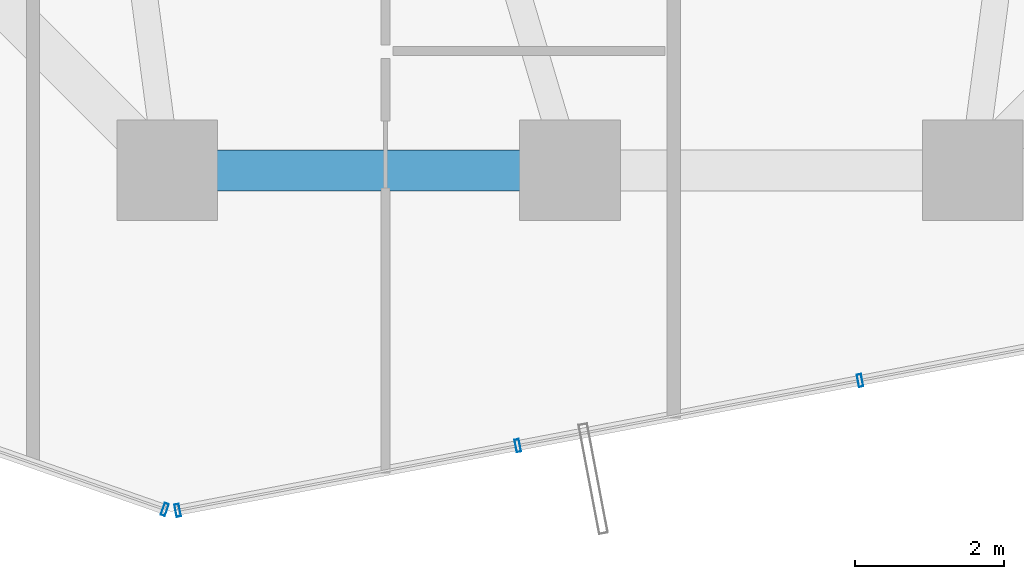
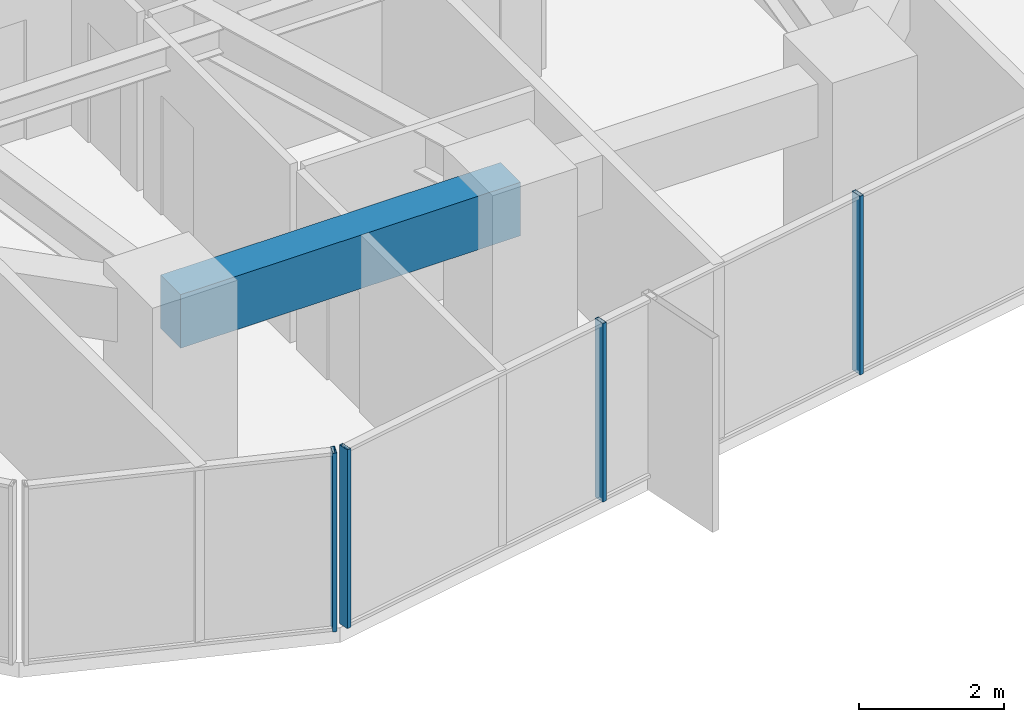
# One storey, part 6 of 38: 4 members, 1 beam, 2 elements without a shape of their own.
"""IFC4 building model written with IfcOpenShell, lengths in metres."""

import ifcopenshell
import ifcopenshell.guid

model = None  # the IFC model being written
_history = None  # IfcOwnerHistory: only IFC2X3 demands one
_inside = {}  # id of a spatial element -> (the spatial element, [elements in it])
_under = {}  # id of a project, library or spatial element -> (it, [spatial elements below it])
_declared = {}  # id of a project -> (the project, [libraries it declares])
_typed = {}  # id of a type object -> (the type object, [elements of that type])
_made_of = {}  # id of a material, layer set ... -> (it, [elements and type objects made of it])


def new_model(schema):
    """Start an empty IFC model of exactly this schema.

    Asked for "IFC4X3", IfcOpenShell would pick the latest addendum, in which some entities
    have other attributes; the version numbers below select the first issue.
    IFC2X3 requires an IfcOwnerHistory on every rooted entity: one is made here for all.
    """
    global model, _history
    if schema == "IFC4X3":
        model = ifcopenshell.file(schema_version=(4, 3, 0, 0))
    else:
        model = ifcopenshell.file(schema=schema)
    _inside.clear()
    _under.clear()
    _declared.clear()
    _typed.clear()
    _made_of.clear()
    _history = None
    if model.schema == "IFC2X3":
        org = make("IfcOrganization", Name="unknown")
        user = make(
            "IfcPersonAndOrganization",
            ThePerson=make("IfcPerson", FamilyName="unknown"),
            TheOrganization=org,
        )
        app = make(
            "IfcApplication",
            ApplicationDeveloper=org,
            Version="unknown",
            ApplicationFullName="unknown",
            ApplicationIdentifier="unknown",
        )
        _history = make(
            "IfcOwnerHistory",
            OwningUser=user,
            OwningApplication=app,
            ChangeAction="ADDED",
            CreationDate=0,
        )
    return model


def make(cls, **values):
    """One entity of the class cls with the attributes given. An attribute that is None is left unset."""
    return model.create_entity(
        cls, **{name: value for name, value in values.items() if value is not None}
    )


def rooted(cls, **values):
    """An entity with a GlobalId (a new one), such as an element, a storey or a relation."""
    return make(cls, GlobalId=ifcopenshell.guid.new(), OwnerHistory=_history, **values)


def si_unit(unit_type, name, prefix=None):
    """IfcSIUnit, for example si_unit("LENGTHUNIT", "METRE", prefix="MILLI")."""
    return make("IfcSIUnit", UnitType=unit_type, Prefix=prefix, Name=name)


def assignment(units):
    """IfcUnitAssignment: the units of a project."""
    return None if units is None else make("IfcUnitAssignment", Units=units)


def point(xyz):
    """IfcCartesianPoint."""
    return None if xyz is None else make("IfcCartesianPoint", Coordinates=xyz)


def direction(xyz):
    """IfcDirection."""
    return None if xyz is None else make("IfcDirection", DirectionRatios=xyz)


def frame(location, z_axis=None, x_axis=None):
    """IfcAxis2Placement3D, a coordinate frame: its origin and axes. An axis left out is left unset."""
    return make(
        "IfcAxis2Placement3D",
        Location=point(location),
        Axis=direction(z_axis),
        RefDirection=direction(x_axis),
    )


def frame_2d(location, x_axis=None):
    """IfcAxis2Placement2D, a coordinate frame in the plane: its origin and x axis."""
    return make(
        "IfcAxis2Placement2D", Location=point(location), RefDirection=direction(x_axis)
    )


def origin():
    """The frame at (0, 0, 0) with its axes left unset."""
    return frame((0.0, 0.0, 0.0))


def origin_2d():
    """The frame at (0, 0) in the plane with its x axis left unset."""
    return frame_2d((0.0, 0.0))


def place(relative_to, where):
    """IfcLocalPlacement: puts the frame where relative to a parent placement (None: the world)."""
    return make(
        "IfcLocalPlacement", PlacementRelTo=relative_to, RelativePlacement=where
    )


def context(
    kind, dimensions, precision=None, world=None, true_north=None, identifier=None
):
    """IfcGeometricRepresentationContext, for example the 3D "Model" context."""
    return make(
        "IfcGeometricRepresentationContext",
        ContextIdentifier=identifier,
        ContextType=kind,
        CoordinateSpaceDimension=dimensions,
        Precision=precision,
        WorldCoordinateSystem=world,
        TrueNorth=true_north,
    )


def subcontext(parent, identifier, kind, view, scale=None):
    """IfcGeometricRepresentationSubContext, for example "Body" below "Model"."""
    return make(
        "IfcGeometricRepresentationSubContext",
        ContextIdentifier=identifier,
        ContextType=kind,
        ParentContext=parent,
        TargetScale=scale,
        TargetView=view,
    )


def project(units=None, contexts=None):
    """IfcProject with its units and contexts."""
    return rooted(
        "IfcProject",
        Name="project",
        RepresentationContexts=contexts,
        UnitsInContext=assignment(units),
    )


def spatial(cls, under=None, at=None, **own):
    """A site, building, storey or space (cls), placed at a placement, below another one or the project."""
    s = rooted(cls, ObjectPlacement=at, **own)
    if under is not None:
        _under.setdefault(under.id(), (under, []))[1].append(s)
    return s


def profile(cls, at=None, kind="AREA", **sizes):
    """A parametric profile (cls). Its sizes go by their IFC names, for example OverallWidth=200.0."""
    return make(cls, ProfileType=kind, Position=at, **sizes)


def rectangle(**sizes):
    """IfcRectangleProfileDef."""
    return profile("IfcRectangleProfileDef", **sizes)


def hollow_rectangle(**sizes):
    """IfcRectangleHollowProfileDef."""
    return profile("IfcRectangleHollowProfileDef", **sizes)


def extrude(swept, where, along, depth):
    """IfcExtrudedAreaSolid: the profile swept, set in the frame where, extruded along a direction by depth."""
    return make(
        "IfcExtrudedAreaSolid",
        SweptArea=swept,
        Position=where,
        ExtrudedDirection=direction(along),
        Depth=depth,
    )


def shape(context_of_items, identifier, shape_type, items):
    """IfcShapeRepresentation: the items that make up one representation, for example the "Body"."""
    return make(
        "IfcShapeRepresentation",
        ContextOfItems=context_of_items,
        RepresentationIdentifier=identifier,
        RepresentationType=shape_type,
        Items=items,
    )


def source(mapping_origin, context_of_items, identifier, shape_type, items):
    """IfcRepresentationMap: a shape defined once, which mapped items show again and again."""
    return make(
        "IfcRepresentationMap",
        MappingOrigin=mapping_origin,
        MappedRepresentation=shape(context_of_items, identifier, shape_type, items),
    )


def transform(
    local_origin,
    x_axis=None,
    y_axis=None,
    z_axis=None,
    scale=None,
    scale2=None,
    scale3=None,
    uniform=True,
):
    """IfcCartesianTransformationOperator3D, or its non-uniform kind. x_axis, y_axis, z_axis: its Axis1, 2, 3."""
    if uniform:
        return make(
            "IfcCartesianTransformationOperator3D",
            Axis1=direction(x_axis),
            Axis2=direction(y_axis),
            LocalOrigin=point(local_origin),
            Scale=scale,
            Axis3=direction(z_axis),
        )
    return make(
        "IfcCartesianTransformationOperator3DnonUniform",
        Axis1=direction(x_axis),
        Axis2=direction(y_axis),
        LocalOrigin=point(local_origin),
        Scale=scale,
        Axis3=direction(z_axis),
        Scale2=scale2,
        Scale3=scale3,
    )


def mapped(mapping_source, mapping_target):
    """IfcMappedItem: shows the shape of a source again, moved by a transform."""
    return make(
        "IfcMappedItem", MappingSource=mapping_source, MappingTarget=mapping_target
    )


def material(Name=None, Category=None):
    """IfcMaterial."""
    return make("IfcMaterial", Name=Name, Category=Category)


def layer(
    of_material, thickness, ventilated=None, Name=None, Category=None, Priority=None
):
    """IfcMaterialLayer: one layer of a wall or slab, of a material (None: an air gap)."""
    return make(
        "IfcMaterialLayer",
        Material=of_material,
        LayerThickness=thickness,
        IsVentilated=ventilated,
        Name=Name,
        Category=Category,
        Priority=Priority,
    )


def layer_set(layers, Name=None):
    """IfcMaterialLayerSet."""
    return make("IfcMaterialLayerSet", MaterialLayers=layers, LayerSetName=Name)


def material_profile(
    of_material, cross_section, Name=None, Category=None, Priority=None
):
    """IfcMaterialProfile: a cross section and its material."""
    return make(
        "IfcMaterialProfile",
        Name=Name,
        Material=of_material,
        Profile=cross_section,
        Priority=Priority,
        Category=Category,
    )


def profile_set(profiles, Name=None, composite=None):
    """IfcMaterialProfileSet."""
    return make(
        "IfcMaterialProfileSet",
        Name=Name,
        MaterialProfiles=profiles,
        CompositeProfile=composite,
    )


def made_of(thing, what):
    """Note that an element or type object is made of a material, layer set ...; save() writes the relation."""
    if what is not None:
        _made_of.setdefault(what.id(), (what, []))[1].append(thing)
    return thing


def type_object(cls, material=None, **own):
    """A type object (cls), such as IfcWallType, which elements share."""
    return made_of(rooted(cls, **own), material)


def element(
    cls,
    number,
    at=None,
    inside=None,
    cuts=None,
    type_object=None,
    material=None,
    context=None,
    identifier="Body",
    shape_type=None,
    held_by="IfcProductDefinitionShape",
    body=None,
    shapes=None,
    **own,
):
    """One element of the class cls, such as IfcWall. Its Tag is "e" and its number.

    at: its placement. inside: the storey or other place that contains it. cuts: it is an
    opening in that element (IfcRelVoidsElement). A single representation is given by context,
    identifier, shape_type and body (its items); several are given by shapes. held_by: the class
    of the entity that holds the representations. save() writes the other relations.
    """
    e = rooted(cls, Tag="e%d" % number, ObjectPlacement=at, **own)
    if body is not None:
        shapes = [shape(context, identifier, shape_type, body)]
    if shapes is not None:
        e.Representation = make(held_by, Representations=shapes)
    if inside is not None:
        _inside.setdefault(inside.id(), (inside, []))[1].append(e)
    if cuts is not None:
        rooted(
            "IfcRelVoidsElement", RelatingBuildingElement=cuts, RelatedOpeningElement=e
        )
    if type_object is not None:
        _typed.setdefault(type_object.id(), (type_object, []))[1].append(e)
    return made_of(e, material)


def aggregate(whole, parts):
    """IfcRelAggregates: a whole, such as a stair, and the parts it consists of."""
    return rooted("IfcRelAggregates", RelatingObject=whole, RelatedObjects=parts)


def save(model, path):
    """Write the relations noted so far, then the file.

    IfcRelAggregates (storeys below a building ...), IfcRelContainedInSpatialStructure (elements
    in a storey), IfcRelDefinesByType, IfcRelAssociatesMaterial and IfcRelDeclares: one each for
    every whole, place, type object, material and project.
    """
    for whole, parts in _under.values():
        aggregate(whole, parts)
    for where, things in _inside.values():
        rooted(
            "IfcRelContainedInSpatialStructure",
            RelatedElements=things,
            RelatingStructure=where,
        )
    for kind, things in _typed.values():
        rooted("IfcRelDefinesByType", RelatedObjects=things, RelatingType=kind)
    for what, things in _made_of.values():
        rooted("IfcRelAssociatesMaterial", RelatedObjects=things, RelatingMaterial=what)
    for by, libraries in _declared.values():
        rooted("IfcRelDeclares", RelatingContext=by, RelatedDefinitions=libraries)
    model.write(path)


model = new_model("IFC4")

# Units and contexts
model_context = context("Model", 3, precision=1e-05, world=origin(), true_north=direction((0.0, 1.0)))
body_context = subcontext(model_context, "Body", "Model", "MODEL_VIEW")
ifc_project = project(units=[si_unit("LENGTHUNIT", "METRE"), si_unit("AREAUNIT", "SQUARE_METRE"), si_unit("VOLUMEUNIT", "CUBIC_METRE"), si_unit("PLANEANGLEUNIT", "RADIAN"), si_unit("MASSUNIT", "GRAM", prefix="KILO")], contexts=[model_context])

# Site, building, storey
site_placement = place(None, origin())
site = spatial("IfcSite", under=ifc_project, at=site_placement, CompositionType="ELEMENT")
building_placement = place(site_placement, origin())
building = spatial("IfcBuilding", under=site, at=building_placement, Name="Veraguas Prism Commons", CompositionType="ELEMENT")
storey_placement = place(building_placement, frame((0.0, 0.0, 60.85009765625)))
storey = spatial("IfcBuildingStorey", under=building, at=storey_placement, Name="L16", CompositionType="ELEMENT", Elevation=60.85009765625)

# Beam
ifc_material_1 = material(Name="Concrete C50/60", Category="concrete")
ifc_material_profile_1 = material_profile(ifc_material_1, rectangle(XDim=0.550048828125, YDim=0.89990234375, at=origin_2d()), Name="RC550X900")
ifc_profile_set_1 = profile_set([ifc_material_profile_1], Name="Concrete C50/60")
beam_type = type_object("IfcBeamType", Name="Perimeter Spandrel Lower RC 550x900", PredefinedType="SPANDREL", material=ifc_profile_set_1)
beam_placement = place(storey_placement, frame((18.60009765625, 6.39990234375, 2.5498046875), z_axis=(1.0, 0.0, 0.0), x_axis=(0.0, 1.0, 0.0)))
element("IfcBeam", 1, at=beam_placement, inside=storey, type_object=beam_type, Name="Perimeter Spandrel Beam L16-SP10", PredefinedType="SPANDREL", context=body_context, shape_type="SweptSolid", body=[
    extrude(rectangle(XDim=0.550048828125, YDim=0.89990234375, at=origin_2d()), origin(), (0.0, 0.0, 1.0), 5.39990234375),
])

# Curtain wall, members
ifc_material_2 = material(Name="Anodised aluminium EN AW-6063 T6", Category="aluminium")
ifc_layer = layer(ifc_material_2, 0.169921875, Name="Unitised Flush Curtain Wall Zone 1", Category="aluminium")
ifc_layer_set = layer_set([ifc_layer], Name="Anodised aluminium EN AW-6063 T6")
curtain_wall_type = type_object("IfcCurtainWallType", Name="Unitised Flush Curtain Wall Zone 1", PredefinedType="NOTDEFINED", material=ifc_layer_set)
curtain_wall_1_placement = place(storey_placement, origin())
curtain_wall_1 = element("IfcCurtainWall", 2, at=curtain_wall_1_placement, inside=storey, type_object=curtain_wall_type, Name="Tower Facade Curtain Wall L16-F5", PredefinedType="NOTDEFINED")
ifc_material_profile_2 = material_profile(ifc_material_2, hollow_rectangle(XDim=0.06005859375, YDim=0.169921875, WallThickness=0.00390625, at=origin_2d()), Name="AL60X170X4")
ifc_profile_set_2 = profile_set([ifc_material_profile_2], Name="Anodised aluminium EN AW-6063 T6")
member_type = type_object("IfcMemberType", Name="Curtain Wall Mullion Lower AL 60x170x4", PredefinedType="MULLION", material=ifc_profile_set_2)
shared_shape = source(origin(), body_context, "Body", "SweptSolid", [
    extrude(hollow_rectangle(XDim=0.06005859375, YDim=0.169921875, WallThickness=0.00390625, at=origin_2d()), origin(), (0.0, 0.0, 1.0), 3.0),
])
member_1_placement = place(storey_placement, frame((18.739990234375, 1.840576171875, 0.0), z_axis=(0.0, 0.0, 1.0), x_axis=(0.982352599301, 0.187038420242, 0.0)))
member_1 = element("IfcMember", 3, at=member_1_placement, type_object=member_type, Name="CW-Z1 Mullion 1", PredefinedType="MULLION", context=body_context, shape_type="MappedRepresentation", body=[
    mapped(shared_shape, transform((0.0, 0.0, 0.0), scale=1.0)),
])
member_2_placement = place(storey_placement, frame((23.298828125, 2.70849609375, 0.0), z_axis=(0.0, 0.0, 1.0), x_axis=(0.982352599301, 0.187038420242, 0.0)))
member_2 = element("IfcMember", 4, at=member_2_placement, type_object=member_type, Name="CW-Z1 Mullion 2", PredefinedType="MULLION", context=body_context, shape_type="MappedRepresentation", body=[
    mapped(shared_shape, transform((0.0, 0.0, 0.0), scale=1.0)),
])
member_3_placement = place(storey_placement, frame((27.887451171875, 3.582275390625, 0.0), z_axis=(0.0, 0.0, 1.0), x_axis=(0.982352599301, 0.187038420242, 0.0)))
member_3 = element("IfcMember", 5, at=member_3_placement, type_object=member_type, Name="CW-Z1 Mullion 3", PredefinedType="MULLION", context=body_context, shape_type="MappedRepresentation", body=[
    mapped(shared_shape, transform((0.0, 0.0, 0.0), scale=1.0)),
])
aggregate(curtain_wall_1, [member_1, member_2, member_3])

# Curtain wall, member
curtain_wall_2_placement = place(storey_placement, origin())
curtain_wall_2 = element("IfcCurtainWall", 6, at=curtain_wall_2_placement, inside=storey, type_object=curtain_wall_type, Name="Chamfer Curtain Wall L16-C5", PredefinedType="NOTDEFINED")
member_4_placement = place(storey_placement, frame((18.56640625, 1.853271484375, 0.0), z_axis=(0.0, 0.0, 1.0), x_axis=(0.944272432632, -0.329164963158, 0.0)))
member_4 = element("IfcMember", 7, at=member_4_placement, type_object=member_type, Name="CW-Z1 Mullion 2", PredefinedType="MULLION", context=body_context, shape_type="MappedRepresentation", body=[
    mapped(shared_shape, transform((0.0, 0.0, 0.0), scale=1.0)),
])
aggregate(curtain_wall_2, [member_4])

save(model, "model.ifc")
